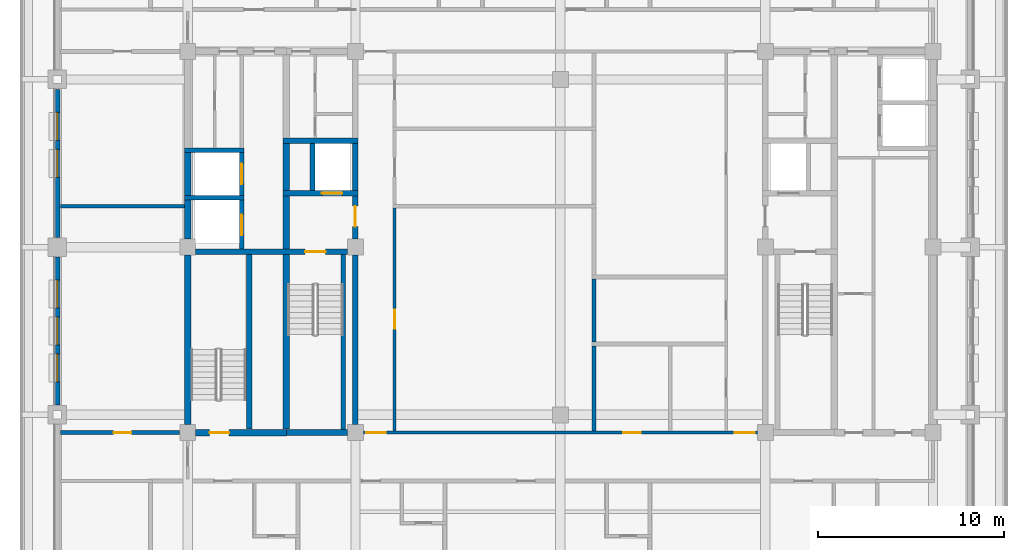
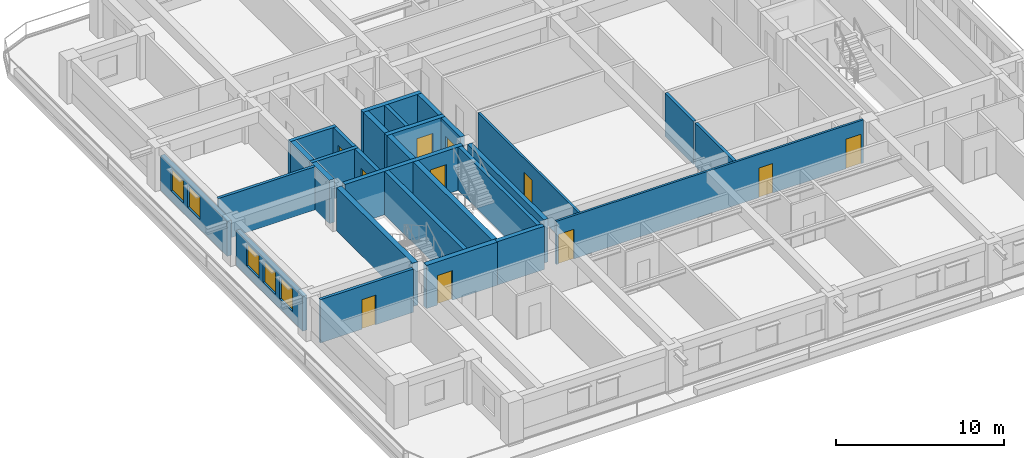
# One storey, part 3 of 14: 29 walls, 11 doors, 5 windows, 16 openings.
"""IFC4 building model written with IfcOpenShell, lengths in metres."""

from ifc_helpers import new_model, si_unit, direction, frame, frame_2d, origin, place, context, subcontext, project, spatial, rectangle, extrude, material, layer, layer_set, type_object, element, fill, save


model = new_model("IFC4")

# Units and contexts
model_context = context("Model", 3, precision=1e-05, world=origin(), true_north=direction((0.0, 1.0)))
body_context = subcontext(model_context, "Body", "Model", "MODEL_VIEW")
ifc_project = project(units=[si_unit("LENGTHUNIT", "METRE"), si_unit("AREAUNIT", "SQUARE_METRE"), si_unit("VOLUMEUNIT", "CUBIC_METRE"), si_unit("PLANEANGLEUNIT", "RADIAN"), si_unit("MASSUNIT", "GRAM", prefix="KILO")], contexts=[model_context])

# Site, building, storey
site_placement = place(None, origin())
site = spatial("IfcSite", under=ifc_project, at=site_placement, CompositionType="ELEMENT")
building_placement = place(site_placement, origin())
building = spatial("IfcBuilding", under=site, at=building_placement, Name="Zulmaris Gate Convention Tower", CompositionType="ELEMENT")
storey_placement = place(building_placement, frame((0.0, 0.0, 205.06005859375)))
storey = spatial("IfcBuildingStorey", under=building, at=storey_placement, Name="L53", CompositionType="ELEMENT", Elevation=205.06005859375)

# Walls
ifc_material_1 = material(Name="Concrete C50/60", Category="concrete")
ifc_layer_1 = layer(ifc_material_1, 0.25, Name="Concrete C50/60")
ifc_layer_set_1 = layer_set([ifc_layer_1], Name="Concrete C50/60")
wall_type_1 = type_object("IfcWallType", Name="CORE-250", PredefinedType="SOLIDWALL", material=ifc_layer_set_1)
for number, where, z_axis, x_axis, name in (
    (1, (-20.175048828125, 2.64990234375, 0.0), (0.0, 0.0, 1.0), (1.0, 0.0, 0.0), "WL-L53-007"),
    (2, (-20.175048828125, 5.199951171875, 0.0), (0.0, 0.0, 1.0), (1.0, 0.0, 0.0), "WL-L53-010"),
):
    element("IfcWall", number, at=place(storey_placement, frame(where, z_axis=z_axis, x_axis=x_axis)), inside=storey, type_object=wall_type_1, Name=name, PredefinedType="SOLIDWALL", context=body_context, shape_type="SweptSolid", body=[
        extrude(rectangle(XDim=3.199951171875, YDim=0.25, at=frame_2d((1.60009765625, 0.0))), origin(), (0.0, 0.0, 1.0), 3.14990234375),
    ])

# Wall, opening, door
wall_1_placement = place(storey_placement, frame((-17.10009765625, -0.097900390625, 0.0), z_axis=(0.0, 0.0, 1.0), x_axis=(0.0, 1.0, 0.0)))
wall_1 = element("IfcWall", 3, at=wall_1_placement, inside=storey, type_object=wall_type_1, Name="WL-L53-049", PredefinedType="SOLIDWALL", context=body_context, shape_type="SweptSolid", body=[
    extrude(rectangle(XDim=2.620849609375, YDim=0.25, at=frame_2d((1.310546875, 0.0))), origin(), (0.0, 0.0, 1.0), 3.14990234375),
])
opening_1_placement = place(wall_1_placement, frame((0.748046875, 0.0, 0.0)))
opening_1 = element("IfcOpeningElement", 4, at=opening_1_placement, cuts=wall_1, Name="Opening D-06", PredefinedType="OPENING", context=body_context, shape_type="SweptSolid", body=[
    extrude(rectangle(XDim=1.10009765625, YDim=2.199951171875, at=frame_2d((0.550048828125, 1.10009765625))), frame((0.0, 0.135009765625, 0.0), z_axis=(0.0, -1.0, 0.0), x_axis=(1.0, 0.0, 0.0)), (0.0, 0.0, 1.0), 0.27001953125),
])
ifc_material_2 = material(Name="Brushed Stainless Steel", Category="steel")
door_type_1 = type_object("IfcDoorType", Name="LD-1100", OperationType="NOTDEFINED", PredefinedType="DOOR", material=ifc_material_2)
door_1_placement = place(opening_1_placement, origin())
door_1 = element("IfcDoor", 5, at=door_1_placement, inside=storey, type_object=door_type_1, Name="L53 Lift Landing Door HP-03 14", OperationType="SLIDING_TO_LEFT", OverallHeight=2.199951171875, OverallWidth=1.10009765625, PredefinedType="DOOR", context=body_context, shape_type="SweptSolid", body=[
    extrude(rectangle(XDim=1.10009765625, YDim=2.199951171875, at=frame_2d((0.550048828125, 1.10009765625))), frame((0.0, 0.02490234375, 0.0), z_axis=(0.0, -1.0, 0.0), x_axis=(1.0, 0.0, 0.0)), (0.0, 0.0, 1.0), 0.050048828125),
])
fill(opening_1, door_1)

wall_2_placement = place(storey_placement, frame((-17.10009765625, 2.777099609375, 0.0), z_axis=(0.0, 0.0, 1.0), x_axis=(0.0, 1.0, 0.0)))
wall_2 = element("IfcWall", 6, at=wall_2_placement, inside=storey, type_object=wall_type_1, Name="WL-L53-050", PredefinedType="SOLIDWALL", context=body_context, shape_type="SweptSolid", body=[
    extrude(rectangle(XDim=2.2958984375, YDim=0.25, at=frame_2d((1.14794921875, 0.0))), origin(), (0.0, 0.0, 1.0), 3.14990234375),
])
opening_2_placement = place(wall_2_placement, frame((0.597900390625, 0.0, 0.0)))
opening_2 = element("IfcOpeningElement", 7, at=opening_2_placement, cuts=wall_2, Name="Opening D-06", PredefinedType="OPENING", context=body_context, shape_type="SweptSolid", body=[
    extrude(rectangle(XDim=1.10009765625, YDim=2.199951171875, at=frame_2d((0.550048828125, 1.10009765625))), frame((0.0, 0.135009765625, 0.0), z_axis=(0.0, -1.0, 0.0), x_axis=(1.0, 0.0, 0.0)), (0.0, 0.0, 1.0), 0.27001953125),
])
door_2_placement = place(opening_2_placement, origin())
door_2 = element("IfcDoor", 8, at=door_2_placement, inside=storey, type_object=door_type_1, Name="L53 Lift Landing Door HP-04 15", OperationType="SLIDING_TO_LEFT", OverallHeight=2.199951171875, OverallWidth=1.10009765625, PredefinedType="DOOR", context=body_context, shape_type="SweptSolid", body=[
    extrude(rectangle(XDim=1.10009765625, YDim=2.199951171875, at=frame_2d((0.550048828125, 1.10009765625))), frame((0.0, 0.02490234375, 0.0), z_axis=(0.0, -1.0, 0.0), x_axis=(1.0, 0.0, 0.0)), (0.0, 0.0, 1.0), 0.050048828125),
])
fill(opening_2, door_2)

# Walls
wall_3_placement = place(storey_placement, frame((-13.300048828125, 3.052001953125, 0.0), z_axis=(0.0, 0.0, 1.0), x_axis=(0.0, 1.0, 0.0)))
element("IfcWall", 9, at=wall_3_placement, inside=storey, type_object=wall_type_1, Name="WL-L53-056", PredefinedType="SOLIDWALL", context=body_context, shape_type="SweptSolid", body=[
    extrude(rectangle(XDim=2.49609375, YDim=0.25, at=frame_2d((1.248046875, 0.0))), origin(), (0.0, 0.0, 1.0), 3.14990234375),
])
wall_4_placement = place(storey_placement, frame((-11.64990234375, -9.798095703125, 0.0), z_axis=(0.0, 0.0, 1.0), x_axis=(0.0, 1.0, 0.0)))
element("IfcWall", 10, at=wall_4_placement, inside=storey, type_object=wall_type_1, Name="WL-L53-057", PredefinedType="SOLIDWALL", context=body_context, shape_type="SweptSolid", body=[
    extrude(rectangle(XDim=9.39599609375, YDim=0.25, at=frame_2d((4.697998046875, 0.0))), origin(), (0.0, 0.0, 1.0), 3.14990234375),
])
ifc_layer_2 = layer(ifc_material_1, 0.300048828125, Name="Concrete C50/60")
ifc_layer_set_2 = layer_set([ifc_layer_2], Name="Concrete C50/60")
wall_type_2 = type_object("IfcWallType", Name="CORE-300", PredefinedType="SHEAR", material=ifc_layer_set_2)
wall_5_placement = place(storey_placement, frame((-14.699951171875, -9.949951171875, 0.0), z_axis=(0.0, 0.0, 1.0), x_axis=(1.0, 0.0, 0.0)))
element("IfcWall", 11, at=wall_5_placement, inside=storey, type_object=wall_type_2, Name="WL-L53-002", PredefinedType="SHEAR", context=body_context, shape_type="SweptSolid", body=[
    extrude(rectangle(XDim=3.27099609375, YDim=0.300048828125, at=frame_2d((1.635498046875, 0.0))), origin(), (0.0, 0.0, 1.0), 3.14990234375),
])

# Wall, opening, door
wall_6_placement = place(storey_placement, frame((-19.571044921875, -0.25, 0.0), z_axis=(0.0, 0.0, 1.0), x_axis=(1.0, 0.0, 0.0)))
wall_6 = element("IfcWall", 12, at=wall_6_placement, inside=storey, type_object=wall_type_2, Name="WL-L53-005", PredefinedType="SHEAR", context=body_context, shape_type="SweptSolid", body=[
    extrude(rectangle(XDim=8.14208984375, YDim=0.300048828125, at=frame_2d((4.071044921875, 0.0))), origin(), (0.0, 0.0, 1.0), 3.14990234375),
])
opening_3_placement = place(wall_6_placement, frame((5.87109375, 0.0, 0.0)))
opening_3 = element("IfcOpeningElement", 13, at=opening_3_placement, cuts=wall_6, Name="Opening D-08", PredefinedType="OPENING", context=body_context, shape_type="SweptSolid", body=[
    extrude(rectangle(XDim=1.10009765625, YDim=2.14990234375, at=frame_2d((0.550048828125, 1.074951171875))), frame((0.0, 0.16015625, 0.0), z_axis=(0.0, -1.0, 0.0), x_axis=(1.0, 0.0, 0.0)), (0.0, 0.0, 1.0), 0.320068359375),
])
ifc_material_3 = material(Name="Fire-Rated Steel", Category="steel")
door_type_2 = type_object("IfcDoorType", Name="DR-1100-FD", OperationType="NOTDEFINED", PredefinedType="DOOR", material=ifc_material_3)
door_3_placement = place(opening_3_placement, origin())
door_3 = element("IfcDoor", 14, at=door_3_placement, inside=storey, type_object=door_type_2, Name="L53 Exit Stair ST-1 Door 01", OperationType="SINGLE_SWING_RIGHT", OverallHeight=2.14990234375, OverallWidth=1.10009765625, PredefinedType="DOOR", context=body_context, shape_type="SweptSolid", body=[
    extrude(rectangle(XDim=1.10009765625, YDim=2.14990234375, at=frame_2d((0.550048828125, 1.074951171875))), frame((0.0, 0.02490234375, 0.0), z_axis=(0.0, -1.0, 0.0), x_axis=(1.0, 0.0, 0.0)), (0.0, 0.0, 1.0), 0.050048828125),
])
fill(opening_3, door_3)

wall_7_placement = place(storey_placement, frame((-14.875, 2.89990234375, 0.0), z_axis=(0.0, 0.0, 1.0), x_axis=(1.0, 0.0, 0.0)))
wall_7 = element("IfcWall", 15, at=wall_7_placement, inside=storey, type_object=wall_type_2, Name="WL-L53-008", PredefinedType="SHEAR", context=body_context, shape_type="SweptSolid", body=[
    extrude(rectangle(XDim=4.02490234375, YDim=0.300048828125, at=frame_2d((2.012451171875, 0.0))), origin(), (0.0, 0.0, 1.0), 3.14990234375),
])
opening_4_placement = place(wall_7_placement, frame((2.074951171875, 0.0, 0.0)))
opening_4 = element("IfcOpeningElement", 16, at=opening_4_placement, cuts=wall_7, Name="Opening D-06", PredefinedType="OPENING", context=body_context, shape_type="SweptSolid", body=[
    extrude(rectangle(XDim=1.10009765625, YDim=2.199951171875, at=frame_2d((0.550048828125, 1.10009765625))), frame((0.0, 0.16015625, 0.0), z_axis=(0.0, -1.0, 0.0), x_axis=(1.0, 0.0, 0.0)), (0.0, 0.0, 1.0), 0.320068359375),
])
door_4_placement = place(opening_4_placement, origin())
door_4 = element("IfcDoor", 17, at=door_4_placement, inside=storey, type_object=door_type_1, Name="L53 Lift Landing Door LF-01 03", OperationType="SLIDING_TO_LEFT", OverallHeight=2.199951171875, OverallWidth=1.10009765625, PredefinedType="DOOR", context=body_context, shape_type="SweptSolid", body=[
    extrude(rectangle(XDim=1.10009765625, YDim=2.199951171875, at=frame_2d((0.550048828125, 1.10009765625))), frame((0.0, 0.02490234375, 0.0), z_axis=(0.0, -1.0, 0.0), x_axis=(1.0, 0.0, 0.0)), (0.0, 0.0, 1.0), 0.050048828125),
])
fill(opening_4, door_4)

# Walls
wall_8_placement = place(storey_placement, frame((-14.875, 5.699951171875, 0.0), z_axis=(0.0, 0.0, 1.0), x_axis=(1.0, 0.0, 0.0)))
element("IfcWall", 18, at=wall_8_placement, inside=storey, type_object=wall_type_2, Name="WL-L53-012", PredefinedType="SHEAR", context=body_context, shape_type="SweptSolid", body=[
    extrude(rectangle(XDim=4.02490234375, YDim=0.300048828125, at=frame_2d((2.012451171875, 0.0))), origin(), (0.0, 0.0, 1.0), 3.14990234375),
])
wall_9_placement = place(storey_placement, frame((-16.699951171875, -9.77294921875, 0.0), z_axis=(0.0, 0.0, 1.0), x_axis=(0.0, 1.0, 0.0)))
element("IfcWall", 19, at=wall_9_placement, inside=storey, type_object=wall_type_2, Name="WL-L53-051", PredefinedType="SHEAR", context=body_context, shape_type="SweptSolid", body=[
    extrude(rectangle(XDim=9.370849609375, YDim=0.300048828125, at=frame_2d((4.685546875, 0.0))), origin(), (0.0, 0.0, 1.0), 3.14990234375),
])
wall_10_placement = place(storey_placement, frame((-11.0, -9.52099609375, 0.0), z_axis=(0.0, 0.0, 1.0), x_axis=(0.0, 1.0, 0.0)))
element("IfcWall", 20, at=wall_10_placement, inside=storey, type_object=wall_type_2, Name="WL-L53-058", PredefinedType="SHEAR", context=body_context, shape_type="SweptSolid", body=[
    extrude(rectangle(XDim=9.092041015625, YDim=0.300048828125, at=frame_2d((4.5458984375, 0.0))), origin(), (0.0, 0.0, 1.0), 3.14990234375),
])

# Wall, opening, door
wall_11_placement = place(storey_placement, frame((-11.0, 0.428955078125, 0.0), z_axis=(0.0, 0.0, 1.0), x_axis=(0.0, 1.0, 0.0)))
wall_11 = element("IfcWall", 21, at=wall_11_placement, inside=storey, type_object=wall_type_2, Name="WL-L53-059", PredefinedType="SHEAR", context=body_context, shape_type="SweptSolid", body=[
    extrude(rectangle(XDim=2.319091796875, YDim=0.300048828125, at=frame_2d((1.15966796875, 0.0))), origin(), (0.0, 0.0, 1.0), 3.14990234375),
])
opening_5_placement = place(wall_11_placement, frame((0.6708984375, 0.0, 0.0)))
opening_5 = element("IfcOpeningElement", 22, at=opening_5_placement, cuts=wall_11, Name="Opening D-08", PredefinedType="OPENING", context=body_context, shape_type="SweptSolid", body=[
    extrude(rectangle(XDim=1.10009765625, YDim=2.14990234375, at=frame_2d((0.550048828125, 1.074951171875))), frame((0.0, 0.16015625, 0.0), z_axis=(0.0, -1.0, 0.0), x_axis=(1.0, 0.0, 0.0)), (0.0, 0.0, 1.0), 0.320068359375),
])
door_5_placement = place(opening_5_placement, origin())
door_5 = element("IfcDoor", 23, at=door_5_placement, inside=storey, type_object=door_type_2, Name="L53 West Firefighting Lobby Door 02", OperationType="SINGLE_SWING_LEFT", OverallHeight=2.14990234375, OverallWidth=1.10009765625, PredefinedType="DOOR", context=body_context, shape_type="SweptSolid", body=[
    extrude(rectangle(XDim=1.10009765625, YDim=2.14990234375, at=frame_2d((0.550048828125, 1.074951171875))), frame((0.0, 0.02490234375, 0.0), z_axis=(0.0, -1.0, 0.0), x_axis=(1.0, 0.0, 0.0)), (0.0, 0.0, 1.0), 0.050048828125),
])
fill(opening_5, door_5)

# Wall
wall_12_placement = place(storey_placement, frame((-11.0, 3.052001953125, 0.0), z_axis=(0.0, 0.0, 1.0), x_axis=(0.0, 1.0, 0.0)))
element("IfcWall", 24, at=wall_12_placement, inside=storey, type_object=wall_type_2, Name="WL-L53-060", PredefinedType="SHEAR", context=body_context, shape_type="SweptSolid", body=[
    extrude(rectangle(XDim=2.49609375, YDim=0.300048828125, at=frame_2d((1.248046875, 0.0))), origin(), (0.0, 0.0, 1.0), 3.14990234375),
])

# Wall, opening, door
ifc_material_4 = material(Name="Concrete C55/67", Category="concrete")
ifc_layer_3 = layer(ifc_material_4, 0.35009765625, Name="Concrete C55/67")
ifc_layer_set_3 = layer_set([ifc_layer_3], Name="Concrete C55/67")
wall_type_3 = type_object("IfcWallType", Name="CORE-350", PredefinedType="SHEAR", material=ifc_layer_set_3)
wall_13_placement = place(storey_placement, frame((-19.571044921875, -9.949951171875, 0.0), z_axis=(0.0, 0.0, 1.0), x_axis=(1.0, 0.0, 0.0)))
wall_13 = element("IfcWall", 25, at=wall_13_placement, inside=storey, type_object=wall_type_3, Name="WL-L53-001", PredefinedType="SHEAR", context=body_context, shape_type="SweptSolid", body=[
    extrude(rectangle(XDim=4.87109375, YDim=0.35009765625, at=frame_2d((2.435546875, 0.0))), origin(), (0.0, 0.0, 1.0), 3.14990234375),
])
opening_6_placement = place(wall_13_placement, frame((0.74609375, 0.0, 0.0)))
opening_6 = element("IfcOpeningElement", 26, at=opening_6_placement, cuts=wall_13, Name="Opening D-09", PredefinedType="OPENING", context=body_context, shape_type="SweptSolid", body=[
    extrude(rectangle(XDim=1.050048828125, YDim=2.14990234375, at=frame_2d((0.52490234375, 1.074951171875))), frame((0.0, 0.18505859375, 0.0), z_axis=(0.0, -1.0, 0.0), x_axis=(1.0, 0.0, 0.0)), (0.0, 0.0, 1.0), 0.3701171875),
])
door_type_3 = type_object("IfcDoorType", Name="DR-1050-FD", OperationType="NOTDEFINED", PredefinedType="DOOR", material=ifc_material_3)
door_6_placement = place(opening_6_placement, origin())
door_6 = element("IfcDoor", 27, at=door_6_placement, inside=storey, type_object=door_type_3, Name="L53 Exit Stair ST-3 Door 13", OperationType="SINGLE_SWING_RIGHT", OverallHeight=2.14990234375, OverallWidth=1.050048828125, PredefinedType="DOOR", context=body_context, shape_type="SweptSolid", body=[
    extrude(rectangle(XDim=1.050048828125, YDim=2.14990234375, at=frame_2d((0.52490234375, 1.074951171875))), frame((0.0, 0.02490234375, 0.0), z_axis=(0.0, -1.0, 0.0), x_axis=(1.0, 0.0, 0.0)), (0.0, 0.0, 1.0), 0.050048828125),
])
fill(opening_6, door_6)

# Walls
wall_14_placement = place(storey_placement, frame((-20.0, -9.52099609375, 0.0), z_axis=(0.0, 0.0, 1.0), x_axis=(0.0, 1.0, 0.0)))
element("IfcWall", 28, at=wall_14_placement, inside=storey, type_object=wall_type_3, Name="WL-L53-045", PredefinedType="SHEAR", context=body_context, shape_type="SweptSolid", body=[
    extrude(rectangle(XDim=9.092041015625, YDim=0.35009765625, at=frame_2d((4.5458984375, 0.0))), origin(), (0.0, 0.0, 1.0), 3.14990234375),
])
wall_15_placement = place(storey_placement, frame((-20.0, 0.428955078125, 0.0), z_axis=(0.0, 0.0, 1.0), x_axis=(0.0, 1.0, 0.0)))
element("IfcWall", 29, at=wall_15_placement, inside=storey, type_object=wall_type_3, Name="WL-L53-046", PredefinedType="SHEAR", context=body_context, shape_type="SweptSolid", body=[
    extrude(rectangle(XDim=2.093994140625, YDim=0.35009765625, at=frame_2d((1.046875, 0.0))), origin(), (0.0, 0.0, 1.0), 3.14990234375),
])
wall_16_placement = place(storey_placement, frame((-20.0, 2.777099609375, 0.0), z_axis=(0.0, 0.0, 1.0), x_axis=(0.0, 1.0, 0.0)))
element("IfcWall", 30, at=wall_16_placement, inside=storey, type_object=wall_type_3, Name="WL-L53-047", PredefinedType="SHEAR", context=body_context, shape_type="SweptSolid", body=[
    extrude(rectangle(XDim=2.2958984375, YDim=0.35009765625, at=frame_2d((1.14794921875, 0.0))), origin(), (0.0, 0.0, 1.0), 3.14990234375),
])
wall_17_placement = place(storey_placement, frame((-14.699951171875, -9.77294921875, 0.0), z_axis=(0.0, 0.0, 1.0), x_axis=(0.0, 1.0, 0.0)))
element("IfcWall", 31, at=wall_17_placement, inside=storey, type_object=wall_type_3, Name="WL-L53-052", PredefinedType="SHEAR", context=body_context, shape_type="SweptSolid", body=[
    extrude(rectangle(XDim=9.370849609375, YDim=0.35009765625, at=frame_2d((4.685546875, 0.0))), origin(), (0.0, 0.0, 1.0), 3.14990234375),
])
wall_18_placement = place(storey_placement, frame((-14.699951171875, -0.097900390625, 0.0), z_axis=(0.0, 0.0, 1.0), x_axis=(0.0, 1.0, 0.0)))
element("IfcWall", 32, at=wall_18_placement, inside=storey, type_object=wall_type_3, Name="WL-L53-053", PredefinedType="SHEAR", context=body_context, shape_type="SweptSolid", body=[
    extrude(rectangle(XDim=2.845947265625, YDim=0.35009765625, at=frame_2d((1.4228515625, 0.0))), origin(), (0.0, 0.0, 1.0), 3.14990234375),
])
wall_19_placement = place(storey_placement, frame((-14.699951171875, 3.052001953125, 0.0), z_axis=(0.0, 0.0, 1.0), x_axis=(0.0, 1.0, 0.0)))
element("IfcWall", 33, at=wall_19_placement, inside=storey, type_object=wall_type_3, Name="WL-L53-054", PredefinedType="SHEAR", context=body_context, shape_type="SweptSolid", body=[
    extrude(rectangle(XDim=2.49609375, YDim=0.35009765625, at=frame_2d((1.248046875, 0.0))), origin(), (0.0, 0.0, 1.0), 3.14990234375),
])

# Wall, openings, doors
ifc_material_5 = material(Name="Gypsum Metal Stud Partition")
ifc_layer_4 = layer(ifc_material_5, 0.14990234375, Name="Gypsum Metal Stud Partition")
ifc_layer_set_4 = layer_set([ifc_layer_4], Name="Gypsum Metal Stud Partition")
wall_type_4 = type_object("IfcWallType", Name="PART-150", PredefinedType="PARTITIONING", material=ifc_layer_set_4)
wall_20_placement = place(storey_placement, frame((-10.569091796875, -9.949951171875, 0.0), z_axis=(0.0, 0.0, 1.0), x_axis=(1.0, 0.0, 0.0)))
wall_20 = element("IfcWall", 34, at=wall_20_placement, inside=storey, type_object=wall_type_4, Name="WL-L53-027", PredefinedType="PARTITIONING", context=body_context, shape_type="SweptSolid", body=[
    extrude(rectangle(XDim=21.13818359375, YDim=0.14990234375, at=frame_2d((10.569091796875, 0.0))), origin(), (0.0, 0.0, 1.0), 3.14990234375),
])
opening_7_placement = place(wall_20_placement, frame((0.14990234375, 0.0, 0.0)))
opening_7 = element("IfcOpeningElement", 35, at=opening_7_placement, cuts=wall_20, Name="Opening D-09", PredefinedType="OPENING", context=body_context, shape_type="SweptSolid", body=[
    extrude(rectangle(XDim=1.050048828125, YDim=2.14990234375, at=frame_2d((0.52490234375, 1.074951171875))), frame((0.0, 0.0849609375, 0.0), z_axis=(0.0, -1.0, 0.0), x_axis=(1.0, 0.0, 0.0)), (0.0, 0.0, 1.0), 0.169921875),
])
opening_8_placement = place(wall_20_placement, frame((19.93798828125, 0.0, 0.0)))
opening_8 = element("IfcOpeningElement", 36, at=opening_8_placement, cuts=wall_20, Name="Opening D-09", PredefinedType="OPENING", context=body_context, shape_type="SweptSolid", body=[
    extrude(rectangle(XDim=1.050048828125, YDim=2.14990234375, at=frame_2d((0.52490234375, 1.074951171875))), frame((0.0, 0.0849609375, 0.0), z_axis=(0.0, -1.0, 0.0), x_axis=(1.0, 0.0, 0.0)), (0.0, 0.0, 1.0), 0.169921875),
])
opening_9_placement = place(wall_20_placement, frame((13.944091796875, 0.0, 0.0)))
opening_9 = element("IfcOpeningElement", 37, at=opening_9_placement, cuts=wall_20, Name="Opening D-11", PredefinedType="OPENING", context=body_context, shape_type="SweptSolid", body=[
    extrude(rectangle(XDim=0.949951171875, YDim=2.14990234375, at=frame_2d((0.47509765625, 1.074951171875))), frame((0.0, 0.0849609375, 0.0), z_axis=(0.0, -1.0, 0.0), x_axis=(1.0, 0.0, 0.0)), (0.0, 0.0, 1.0), 0.169921875),
])
door_7_placement = place(opening_7_placement, origin())
door_7 = element("IfcDoor", 38, at=door_7_placement, inside=storey, type_object=door_type_3, Name="L53 SW Hotel Loop Door 26", OperationType="SINGLE_SWING_LEFT", OverallHeight=2.14990234375, OverallWidth=1.050048828125, PredefinedType="DOOR", context=body_context, shape_type="SweptSolid", body=[
    extrude(rectangle(XDim=1.050048828125, YDim=2.14990234375, at=frame_2d((0.52490234375, 1.074951171875))), frame((0.0, 0.02490234375, 0.0), z_axis=(0.0, -1.0, 0.0), x_axis=(1.0, 0.0, 0.0)), (0.0, 0.0, 1.0), 0.050048828125),
])
fill(opening_7, door_7)
door_8_placement = place(opening_8_placement, origin())
door_8 = element("IfcDoor", 39, at=door_8_placement, inside=storey, type_object=door_type_3, Name="L53 SE Hotel Loop Door 28", OperationType="SINGLE_SWING_LEFT", OverallHeight=2.14990234375, OverallWidth=1.050048828125, PredefinedType="DOOR", context=body_context, shape_type="SweptSolid", body=[
    extrude(rectangle(XDim=1.050048828125, YDim=2.14990234375, at=frame_2d((0.52490234375, 1.074951171875))), frame((0.0, 0.02490234375, 0.0), z_axis=(0.0, -1.0, 0.0), x_axis=(1.0, 0.0, 0.0)), (0.0, 0.0, 1.0), 0.050048828125),
])
fill(opening_8, door_8)
ifc_material_6 = material(Name="Fire-Rated Timber", Category="wood")
door_type_4 = type_object("IfcDoorType", Name="DR-950-FD", OperationType="NOTDEFINED", PredefinedType="DOOR", material=ifc_material_6)
door_9_placement = place(opening_9_placement, origin())
door_9 = element("IfcDoor", 40, at=door_9_placement, inside=storey, type_object=door_type_4, Name="L53 Staging Store Door 50", OperationType="SINGLE_SWING_LEFT", OverallHeight=2.14990234375, OverallWidth=0.949951171875, PredefinedType="DOOR", context=body_context, shape_type="SweptSolid", body=[
    extrude(rectangle(XDim=0.949951171875, YDim=2.14990234375, at=frame_2d((0.47509765625, 1.074951171875))), frame((0.0, 0.02490234375, 0.0), z_axis=(0.0, -1.0, 0.0), x_axis=(1.0, 0.0, 0.0)), (0.0, 0.0, 1.0), 0.050048828125),
])
fill(opening_9, door_9)

# Wall, opening, door
wall_21_placement = place(storey_placement, frame((-8.89990234375, -9.8720703125, 0.0), z_axis=(0.0, 0.0, 1.0), x_axis=(0.0, 1.0, 0.0)))
wall_21 = element("IfcWall", 41, at=wall_21_placement, inside=storey, type_object=wall_type_4, Name="WL-L53-089", PredefinedType="PARTITIONING", context=body_context, shape_type="SweptSolid", body=[
    extrude(rectangle(XDim=11.968994140625, YDim=0.14990234375, at=frame_2d((5.984375, 0.0))), origin(), (0.0, 0.0, 1.0), 3.14990234375),
])
opening_10_placement = place(wall_21_placement, frame((5.501953125, 0.0, 0.0)))
opening_10 = element("IfcOpeningElement", 42, at=opening_10_placement, cuts=wall_21, Name="Opening D-10", PredefinedType="OPENING", context=body_context, shape_type="SweptSolid", body=[
    extrude(rectangle(XDim=1.0, YDim=2.14990234375, at=frame_2d((0.5, 1.074951171875))), frame((0.0, 0.0849609375, 0.0), z_axis=(0.0, -1.0, 0.0), x_axis=(1.0, 0.0, 0.0)), (0.0, 0.0, 1.0), 0.169921875),
])
door_type_5 = type_object("IfcDoorType", Name="DR-1000-FD", OperationType="NOTDEFINED", PredefinedType="DOOR", material=ifc_material_6)
door_10_placement = place(opening_10_placement, origin())
door_10 = element("IfcDoor", 43, at=door_10_placement, inside=storey, type_object=door_type_5, Name="L53 Guest Study Door 46", OperationType="SINGLE_SWING_LEFT", OverallHeight=2.14990234375, OverallWidth=1.0, PredefinedType="DOOR", context=body_context, shape_type="SweptSolid", body=[
    extrude(rectangle(XDim=1.0, YDim=2.14990234375, at=frame_2d((0.5, 1.074951171875))), frame((0.0, 0.02490234375, 0.0), z_axis=(0.0, -1.0, 0.0), x_axis=(1.0, 0.0, 0.0)), (0.0, 0.0, 1.0), 0.050048828125),
])
fill(opening_10, door_10)

ifc_material_7 = material(Name="Autoclaved Aerated Concrete Block and Plasterboard", Category="concrete")
ifc_layer_5 = layer(ifc_material_7, 0.199951171875, Name="Autoclaved Aerated Concrete Block and Plasterboard")
ifc_layer_set_5 = layer_set([ifc_layer_5], Name="Autoclaved Aerated Concrete Block and Plasterboard")
wall_type_5 = type_object("IfcWallType", Name="PART-200", PredefinedType="PARTITIONING", material=ifc_layer_set_5)
wall_22_placement = place(storey_placement, frame((-26.8349609375, -9.949951171875, 0.0), z_axis=(0.0, 0.0, 1.0), x_axis=(1.0, 0.0, 0.0)))
wall_22 = element("IfcWall", 44, at=wall_22_placement, inside=storey, type_object=wall_type_5, Name="WL-L53-026", PredefinedType="PARTITIONING", context=body_context, shape_type="SweptSolid", body=[
    extrude(rectangle(XDim=6.404052734375, YDim=0.199951171875, at=frame_2d((3.2021484375, 0.0))), origin(), (0.0, 0.0, 1.0), 3.14990234375),
])
opening_11_placement = place(wall_22_placement, frame((2.860107421875, 0.0, 0.0)))
opening_11 = element("IfcOpeningElement", 45, at=opening_11_placement, cuts=wall_22, Name="Opening D-11", PredefinedType="OPENING", context=body_context, shape_type="SweptSolid", body=[
    extrude(rectangle(XDim=0.949951171875, YDim=2.14990234375, at=frame_2d((0.47509765625, 1.074951171875))), frame((0.0, 0.10986328125, 0.0), z_axis=(0.0, -1.0, 0.0), x_axis=(1.0, 0.0, 0.0)), (0.0, 0.0, 1.0), 0.219970703125),
])
door_11_placement = place(opening_11_placement, origin())
door_11 = element("IfcDoor", 46, at=door_11_placement, inside=storey, type_object=door_type_4, Name="L53 West Study Door 54", OperationType="SINGLE_SWING_LEFT", OverallHeight=2.14990234375, OverallWidth=0.949951171875, PredefinedType="DOOR", context=body_context, shape_type="SweptSolid", body=[
    extrude(rectangle(XDim=0.949951171875, YDim=2.14990234375, at=frame_2d((0.47509765625, 1.074951171875))), frame((0.0, 0.02490234375, 0.0), z_axis=(0.0, -1.0, 0.0), x_axis=(1.0, 0.0, 0.0)), (0.0, 0.0, 1.0), 0.050048828125),
])
fill(opening_11, door_11)

# Walls
wall_23_placement = place(storey_placement, frame((-26.8349609375, 2.199951171875, 0.0), z_axis=(0.0, 0.0, 1.0), x_axis=(1.0, 0.0, 0.0)))
element("IfcWall", 47, at=wall_23_placement, inside=storey, type_object=wall_type_5, Name="WL-L53-031", PredefinedType="PARTITIONING", context=body_context, shape_type="SweptSolid", body=[
    extrude(rectangle(XDim=6.656982421875, YDim=0.199951171875, at=frame_2d((3.32861328125, 0.0))), origin(), (0.0, 0.0, 1.0), 3.14990234375),
])
wall_24_placement = place(storey_placement, frame((1.800048828125, -9.8720703125, 0.0), z_axis=(0.0, 0.0, 1.0), x_axis=(0.0, 1.0, 0.0)))
element("IfcWall", 48, at=wall_24_placement, inside=storey, type_object=wall_type_5, Name="WL-L53-098", PredefinedType="PARTITIONING", context=body_context, shape_type="SweptSolid", body=[
    extrude(rectangle(XDim=4.569091796875, YDim=0.199951171875, at=frame_2d((2.28466796875, 0.0))), origin(), (0.0, 0.0, 1.0), 3.14990234375),
])
wall_25_placement = place(storey_placement, frame((1.800048828125, -5.096923828125, 0.0), z_axis=(0.0, 0.0, 1.0), x_axis=(0.0, 1.0, 0.0)))
element("IfcWall", 49, at=wall_25_placement, inside=storey, type_object=wall_type_5, Name="WL-L53-099", PredefinedType="PARTITIONING", context=body_context, shape_type="SweptSolid", body=[
    extrude(rectangle(XDim=3.39404296875, YDim=0.199951171875, at=frame_2d((1.697021484375, 0.0))), origin(), (0.0, 0.0, 1.0), 3.14990234375),
])

# Wall, openings, windows
ifc_material_8 = material(Name="Precast concrete C40/50", Category="concrete")
ifc_layer_6 = layer(ifc_material_8, 0.300048828125, Name="Precast concrete C40/50")
ifc_layer_set_6 = layer_set([ifc_layer_6], Name="Precast concrete C40/50")
wall_type_6 = type_object("IfcWallType", Name="PRECAST-PIER-300", PredefinedType="STANDARD", material=ifc_layer_set_6)
wall_26_placement = place(storey_placement, frame((-27.0, -0.530029296875, 0.0), z_axis=(0.0, 0.0, 1.0), x_axis=(0.0, -1.0, 0.0)))
wall_26 = element("IfcWall", 50, at=wall_26_placement, inside=storey, type_object=wall_type_6, Name="EW-L53-W-1_0", PredefinedType="STANDARD", context=body_context, shape_type="SweptSolid", body=[
    extrude(rectangle(XDim=7.93994140625, YDim=0.300048828125, at=frame_2d((3.969970703125, 0.0))), origin(), (0.0, 0.0, 1.0), 2.5419921875),
])
opening_12_placement = place(wall_26_placement, frame((1.235107421875, 0.0, 0.719970703125)))
opening_12 = element("IfcOpeningElement", 51, at=opening_12_placement, cuts=wall_26, Name="Opening W-03", PredefinedType="OPENING", context=body_context, shape_type="SweptSolid", body=[
    extrude(rectangle(XDim=1.5, YDim=1.60009765625, at=frame_2d((0.75, 0.800048828125))), frame((0.0, 0.16015625, 0.0), z_axis=(0.0, -1.0, 0.0), x_axis=(1.0, 0.0, 0.0)), (0.0, 0.0, 1.0), 0.320068359375),
])
opening_13_placement = place(wall_26_placement, frame((3.219970703125, 0.0, 0.719970703125)))
opening_13 = element("IfcOpeningElement", 52, at=opening_13_placement, cuts=wall_26, Name="Opening W-03", PredefinedType="OPENING", context=body_context, shape_type="SweptSolid", body=[
    extrude(rectangle(XDim=1.5, YDim=1.60009765625, at=frame_2d((0.75, 0.800048828125))), frame((0.0, 0.16015625, 0.0), z_axis=(0.0, -1.0, 0.0), x_axis=(1.0, 0.0, 0.0)), (0.0, 0.0, 1.0), 0.320068359375),
])
opening_14_placement = place(wall_26_placement, frame((5.205078125, 0.0, 0.719970703125)))
opening_14 = element("IfcOpeningElement", 53, at=opening_14_placement, cuts=wall_26, Name="Opening W-03", PredefinedType="OPENING", context=body_context, shape_type="SweptSolid", body=[
    extrude(rectangle(XDim=1.5, YDim=1.60009765625, at=frame_2d((0.75, 0.800048828125))), frame((0.0, 0.16015625, 0.0), z_axis=(0.0, -1.0, 0.0), x_axis=(1.0, 0.0, 0.0)), (0.0, 0.0, 1.0), 0.320068359375),
])
ifc_material_9 = material(Name="Low-E Laminated Double Glazing in Aluminium Frame", Category="aluminium")
window_type = type_object("IfcWindowType", Name="WIN-1500x2100", PartitioningType="SINGLE_PANEL", PredefinedType="WINDOW", material=ifc_material_9)
window_1_placement = place(opening_12_placement, origin())
window_1 = element("IfcWindow", 54, at=window_1_placement, inside=storey, type_object=window_type, Name="WN-EW-L53-W-1_0-1", OverallHeight=1.60009765625, OverallWidth=1.5, PartitioningType="SINGLE_PANEL", PredefinedType="WINDOW", context=body_context, shape_type="SweptSolid", body=[
    extrude(rectangle(XDim=1.5, YDim=1.60009765625, at=frame_2d((0.75, 0.800048828125))), frame((0.0, 0.030029296875, 0.0), z_axis=(0.0, -1.0, 0.0), x_axis=(1.0, 0.0, 0.0)), (0.0, 0.0, 1.0), 0.06005859375),
])
fill(opening_12, window_1)
window_2_placement = place(opening_13_placement, origin())
window_2 = element("IfcWindow", 55, at=window_2_placement, inside=storey, type_object=window_type, Name="WN-EW-L53-W-1_0-2", OverallHeight=1.60009765625, OverallWidth=1.5, PartitioningType="SINGLE_PANEL", PredefinedType="WINDOW", context=body_context, shape_type="SweptSolid", body=[
    extrude(rectangle(XDim=1.5, YDim=1.60009765625, at=frame_2d((0.75, 0.800048828125))), frame((0.0, 0.030029296875, 0.0), z_axis=(0.0, -1.0, 0.0), x_axis=(1.0, 0.0, 0.0)), (0.0, 0.0, 1.0), 0.06005859375),
])
fill(opening_13, window_2)
window_3_placement = place(opening_14_placement, origin())
window_3 = element("IfcWindow", 56, at=window_3_placement, inside=storey, type_object=window_type, Name="WN-EW-L53-W-1_0-3", OverallHeight=1.60009765625, OverallWidth=1.5, PartitioningType="SINGLE_PANEL", PredefinedType="WINDOW", context=body_context, shape_type="SweptSolid", body=[
    extrude(rectangle(XDim=1.5, YDim=1.60009765625, at=frame_2d((0.75, 0.800048828125))), frame((0.0, 0.030029296875, 0.0), z_axis=(0.0, -1.0, 0.0), x_axis=(1.0, 0.0, 0.0)), (0.0, 0.0, 1.0), 0.06005859375),
])
fill(opening_14, window_3)

wall_27_placement = place(storey_placement, frame((-27.0, 8.469970703125, 0.0), z_axis=(0.0, 0.0, 1.0), x_axis=(0.0, -1.0, 0.0)))
wall_27 = element("IfcWall", 57, at=wall_27_placement, inside=storey, type_object=wall_type_6, Name="EW-L53-W-2_0", PredefinedType="STANDARD", context=body_context, shape_type="SweptSolid", body=[
    extrude(rectangle(XDim=7.93994140625, YDim=0.300048828125, at=frame_2d((3.969970703125, 0.0))), origin(), (0.0, 0.0, 1.0), 2.5419921875),
])
opening_15_placement = place(wall_27_placement, frame((1.235107421875, 0.0, 0.719970703125)))
opening_15 = element("IfcOpeningElement", 58, at=opening_15_placement, cuts=wall_27, Name="Opening W-03", PredefinedType="OPENING", context=body_context, shape_type="SweptSolid", body=[
    extrude(rectangle(XDim=1.5, YDim=1.60009765625, at=frame_2d((0.75, 0.800048828125))), frame((0.0, 0.16015625, 0.0), z_axis=(0.0, -1.0, 0.0), x_axis=(1.0, 0.0, 0.0)), (0.0, 0.0, 1.0), 0.320068359375),
])
opening_16_placement = place(wall_27_placement, frame((3.219970703125, 0.0, 0.719970703125)))
opening_16 = element("IfcOpeningElement", 59, at=opening_16_placement, cuts=wall_27, Name="Opening W-03", PredefinedType="OPENING", context=body_context, shape_type="SweptSolid", body=[
    extrude(rectangle(XDim=1.5, YDim=1.60009765625, at=frame_2d((0.75, 0.800048828125))), frame((0.0, 0.16015625, 0.0), z_axis=(0.0, -1.0, 0.0), x_axis=(1.0, 0.0, 0.0)), (0.0, 0.0, 1.0), 0.320068359375),
])
window_4_placement = place(opening_15_placement, origin())
window_4 = element("IfcWindow", 60, at=window_4_placement, inside=storey, type_object=window_type, Name="WN-EW-L53-W-2_0-1", OverallHeight=1.60009765625, OverallWidth=1.5, PartitioningType="SINGLE_PANEL", PredefinedType="WINDOW", context=body_context, shape_type="SweptSolid", body=[
    extrude(rectangle(XDim=1.5, YDim=1.60009765625, at=frame_2d((0.75, 0.800048828125))), frame((0.0, 0.030029296875, 0.0), z_axis=(0.0, -1.0, 0.0), x_axis=(1.0, 0.0, 0.0)), (0.0, 0.0, 1.0), 0.06005859375),
])
fill(opening_15, window_4)
window_5_placement = place(opening_16_placement, origin())
window_5 = element("IfcWindow", 61, at=window_5_placement, inside=storey, type_object=window_type, Name="WN-EW-L53-W-2_0-2", OverallHeight=1.60009765625, OverallWidth=1.5, PartitioningType="SINGLE_PANEL", PredefinedType="WINDOW", context=body_context, shape_type="SweptSolid", body=[
    extrude(rectangle(XDim=1.5, YDim=1.60009765625, at=frame_2d((0.75, 0.800048828125))), frame((0.0, 0.030029296875, 0.0), z_axis=(0.0, -1.0, 0.0), x_axis=(1.0, 0.0, 0.0)), (0.0, 0.0, 1.0), 0.06005859375),
])
fill(opening_16, window_5)

save(model, "model.ifc")
